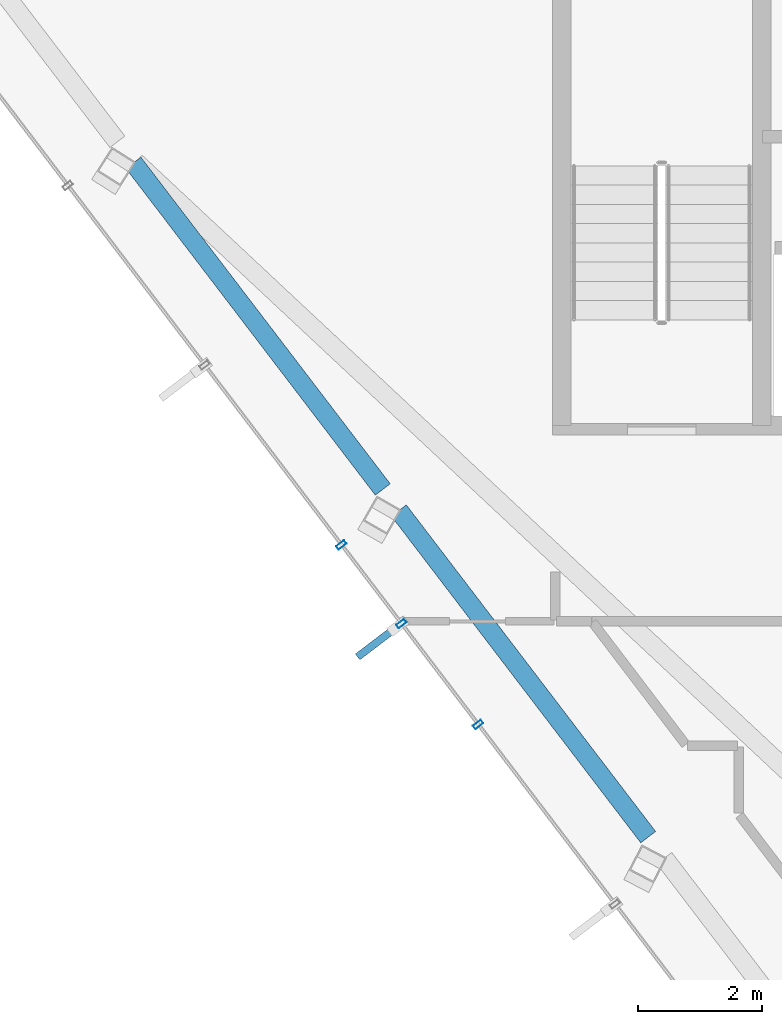
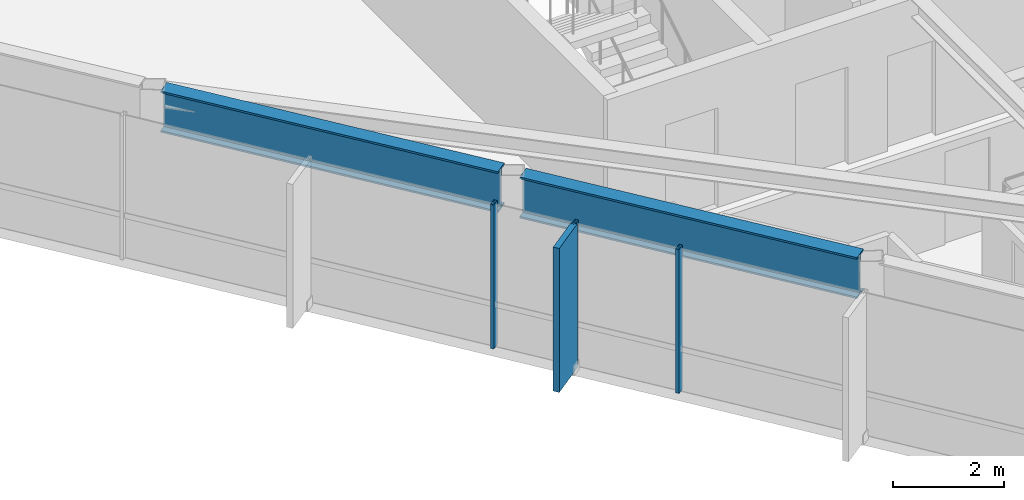
# One storey, part 3 of 21: 4 members, 2 beams, 1 element without a shape of its own.
"""IFC4 building model written with IfcOpenShell, lengths in metres."""

from ifc_helpers import new_model, si_unit, direction, frame, origin, origin_2d, place, context, subcontext, project, spatial, rectangle, hollow_rectangle, i_section, extrude, material, layer, layer_set, material_profile, profile_set, type_object, element, aggregate, save


model = new_model("IFC4")

# Units and contexts
model_context = context("Model", 3, precision=1e-05, world=origin(), true_north=direction((0.0, 1.0)))
body_context = subcontext(model_context, "Body", "Model", "MODEL_VIEW")
ifc_project = project(units=[si_unit("LENGTHUNIT", "METRE"), si_unit("AREAUNIT", "SQUARE_METRE"), si_unit("VOLUMEUNIT", "CUBIC_METRE"), si_unit("PLANEANGLEUNIT", "RADIAN"), si_unit("MASSUNIT", "GRAM", prefix="KILO")], contexts=[model_context])

# Site, building, storey
site_placement = place(None, origin())
site = spatial("IfcSite", under=ifc_project, at=site_placement, CompositionType="ELEMENT")
building_placement = place(site_placement, origin())
building = spatial("IfcBuilding", under=site, at=building_placement, Name="Zarrinselat Tower", CompositionType="ELEMENT")
storey_placement = place(building_placement, frame((0.0, 0.0, 285.60009765625)))
storey = spatial("IfcBuildingStorey", under=building, at=storey_placement, Name="L73", CompositionType="ELEMENT", Elevation=285.60009765625)

# Beams
ifc_material_1 = material(Name="Steel S460M", Category="steel")
ifc_material_profile_1 = material_profile(ifc_material_1, i_section(OverallWidth=0.302001953125, OverallDepth=0.909912109375, WebThickness=0.02099609375, FlangeThickness=0.0400390625, at=origin_2d()), Name="HEM 900")
ifc_profile_set_1 = profile_set([ifc_material_profile_1], Name="Steel S460M")
beam_type = type_object("IfcBeamType", Name="BM-HEM900", PredefinedType="BEAM", material=ifc_profile_set_1)
for number, where, z_axis, x_axis, name in (
    (1, (21.7607421875, 37.52685546875, 2.724853515625), (0.606819456319, -0.794839699205, 0.0), (0.794839699205, 0.606819456319, 0.0), "L73 Perimeter Spandrel Girder SP07"),
    (2, (26.03125, 31.932861328125, 2.724853515625), (0.606819456319, -0.794839699205, 0.0), (0.794839699205, 0.606819456319, 0.0), "L73 Perimeter Spandrel Girder SP08"),
):
    element("IfcBeam", number, at=place(storey_placement, frame(where, z_axis=z_axis, x_axis=x_axis)), inside=storey, type_object=beam_type, Name=name, PredefinedType="BEAM", context=body_context, shape_type="SweptSolid", body=[
        extrude(i_section(OverallWidth=0.302001953125, OverallDepth=0.909912109375, WebThickness=0.02099609375, FlangeThickness=0.0400390625, at=origin_2d()), origin(), (0.0, 0.0, 1.0), 6.61181640625),
    ])

# Curtain wall, members
ifc_material_2 = material(Name="Extruded Aluminium Alloy EN AW-6063 T6", Category="aluminium")
ifc_layer = layer(ifc_material_2, 0.169921875)
ifc_layer_set = layer_set([ifc_layer], Name="Extruded Aluminium Alloy EN AW-6063 T6")
curtain_wall_type = type_object("IfcCurtainWallType", Name="CWS-RES", PredefinedType="NOTDEFINED", material=ifc_layer_set)
curtain_wall_placement = place(storey_placement, origin())
curtain_wall = element("IfcCurtainWall", 3, at=curtain_wall_placement, inside=storey, type_object=curtain_wall_type, Name="L73 Unitised Curtain Wall CW-L73-E03", PredefinedType="NOTDEFINED")
ifc_material_3 = material(Name="Extruded Aluminium Alloy EN AW-6063 T6", Category="aluminium")
ifc_material_profile_2 = material_profile(ifc_material_3, hollow_rectangle(XDim=0.070068359375, YDim=0.159912109375, WallThickness=0.00390625, at=origin_2d()), Name="RHS 160x70x4")
ifc_profile_set_2 = profile_set([ifc_material_profile_2], Name="Extruded Aluminium Alloy EN AW-6063 T6")
member_type_1 = type_object("IfcMemberType", Name="MEM-CW-MUL2", PredefinedType="MULLION", material=ifc_profile_set_2)
member_1_placement = place(storey_placement, frame((25.106689453125, 31.381591796875, 0.0), z_axis=(0.0, 0.0, 1.0), x_axis=(0.60576733126, -0.795641841772, 0.0)))
member_1 = element("IfcMember", 4, at=member_1_placement, type_object=member_type_1, Name="CW-L73-E03 Mullion 4", PredefinedType="MULLION", context=body_context, shape_type="SweptSolid", body=[
    extrude(hollow_rectangle(XDim=0.070068359375, YDim=0.159912109375, WallThickness=0.00390625, at=origin_2d()), origin(), (0.0, 0.0, 1.0), 3.179931640625),
])
member_2_placement = place(storey_placement, frame((26.072021484375, 30.11376953125, 0.0), z_axis=(0.0, 0.0, 1.0), x_axis=(0.60576733126, -0.795641841772, 0.0)))
member_2 = element("IfcMember", 5, at=member_2_placement, type_object=member_type_1, Name="CW-L73-E03 Mullion 5", PredefinedType="MULLION", context=body_context, shape_type="SweptSolid", body=[
    extrude(hollow_rectangle(XDim=0.070068359375, YDim=0.159912109375, WallThickness=0.00390625, at=origin_2d()), origin(), (0.0, 0.0, 1.0), 3.179931640625),
])
member_3_placement = place(storey_placement, frame((27.3076171875, 28.490966796875, 0.0), z_axis=(0.0, 0.0, 1.0), x_axis=(0.60576733126, -0.795641841772, 0.0)))
member_3 = element("IfcMember", 6, at=member_3_placement, type_object=member_type_1, Name="CW-L73-E03 Mullion 6", PredefinedType="MULLION", context=body_context, shape_type="SweptSolid", body=[
    extrude(hollow_rectangle(XDim=0.070068359375, YDim=0.159912109375, WallThickness=0.00390625, at=origin_2d()), origin(), (0.0, 0.0, 1.0), 3.179931640625),
])
ifc_material_4 = material(Name="Honed Cream Travertine Stone", Category="masonry")
ifc_material_profile_3 = material_profile(ifc_material_4, rectangle(XDim=0.1201171875, YDim=0.85009765625, at=origin_2d()), Name="FIN 850x120")
ifc_profile_set_3 = profile_set([ifc_material_profile_3], Name="Honed Cream Travertine Stone")
member_type_2 = type_object("IfcMemberType", Name="MEM-STONE-FIN", PredefinedType="USERDEFINED", material=ifc_profile_set_3)
member_4_placement = place(storey_placement, frame((25.7060546875, 29.8349609375, 0.0), z_axis=(0.0, 0.0, 1.0), x_axis=(-0.60576733126, 0.795641841772, 0.0)))
member_4 = element("IfcMember", 7, at=member_4_placement, type_object=member_type_2, Name="L73 Stone Shading Fin CW-L73-E03-05", ObjectType="FIN", PredefinedType="USERDEFINED", context=body_context, shape_type="SweptSolid", body=[
    extrude(rectangle(XDim=0.1201171875, YDim=0.85009765625, at=origin_2d()), origin(), (0.0, 0.0, 1.0), 3.179931640625),
])
aggregate(curtain_wall, [member_1, member_2, member_4, member_3])

save(model, "model.ifc")
